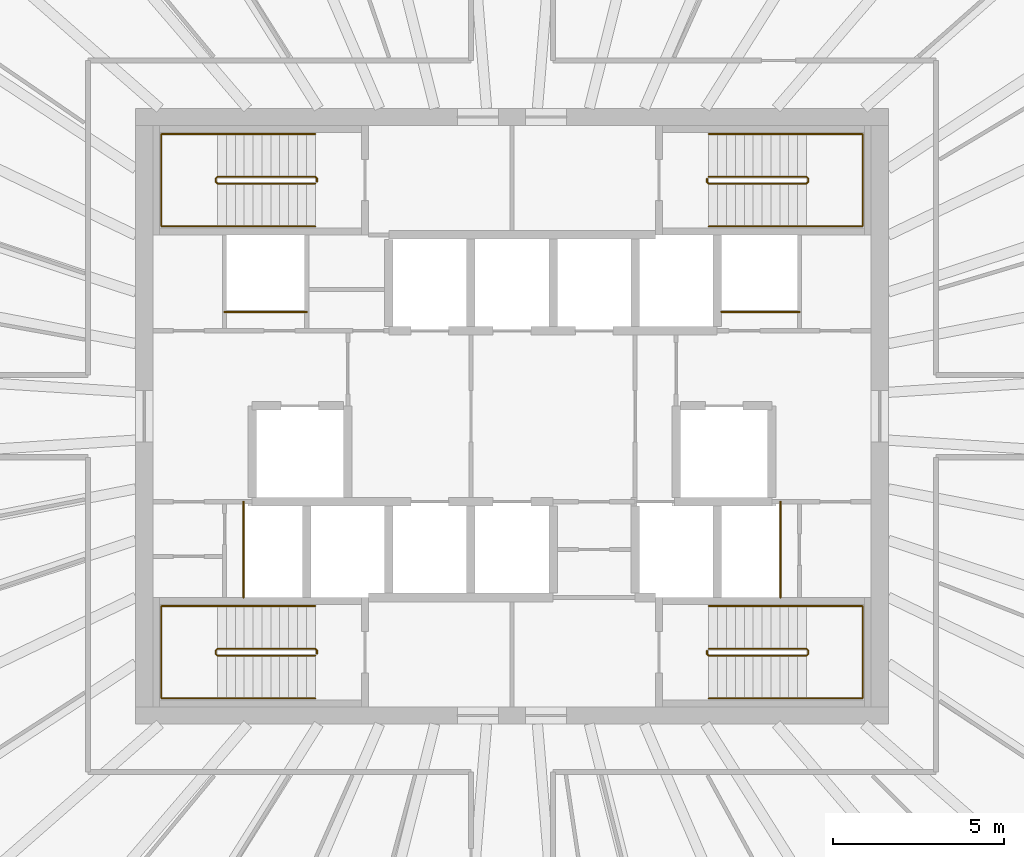
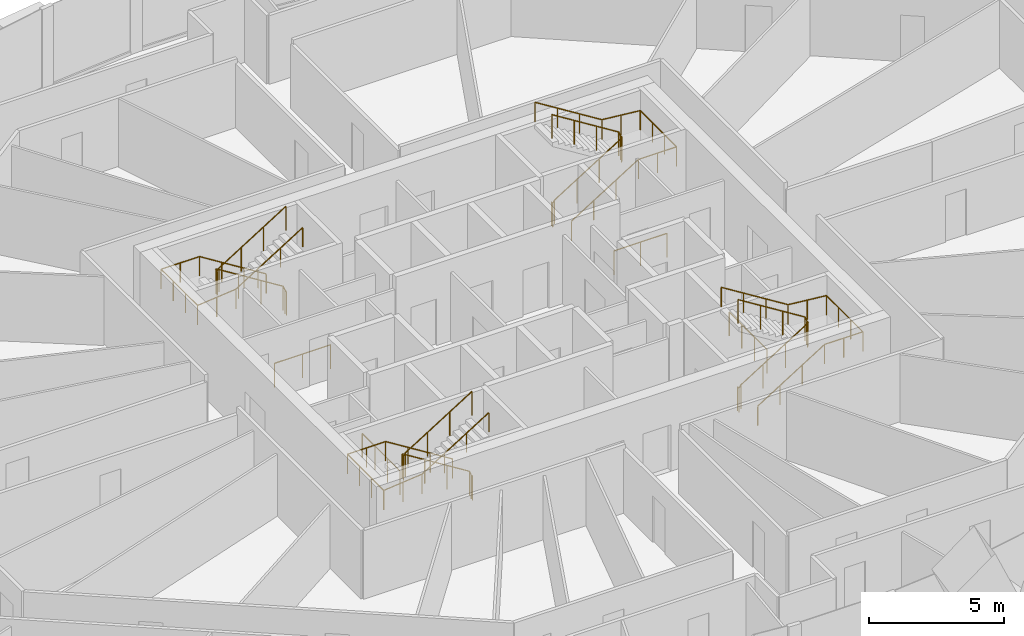
# One storey, part 14 of 14: 12 railings.
"""IFC4 building model written with IfcOpenShell, lengths in metres."""

from ifc_helpers import new_model, si_unit, direction, frame, origin, origin_2d, place, context, subcontext, project, spatial, circle, extrude, source, transform, mapped, material, type_object, element, save


model = new_model("IFC4")

# Units and contexts
model_context = context("Model", 3, precision=1e-05, world=origin(), true_north=direction((0.0, 1.0)))
body_context = subcontext(model_context, "Body", "Model", "MODEL_VIEW")
ifc_project = project(units=[si_unit("LENGTHUNIT", "METRE"), si_unit("AREAUNIT", "SQUARE_METRE"), si_unit("VOLUMEUNIT", "CUBIC_METRE"), si_unit("PLANEANGLEUNIT", "RADIAN"), si_unit("MASSUNIT", "GRAM", prefix="KILO")], contexts=[model_context])

# Site, building, storey
site_placement = place(None, origin())
site = spatial("IfcSite", under=ifc_project, at=site_placement, CompositionType="ELEMENT")
building_placement = place(site_placement, origin())
building = spatial("IfcBuilding", under=site, at=building_placement, Name="Embergate Tower", CompositionType="ELEMENT")
storey_placement = place(building_placement, frame((0.0, 0.0, 257.800048828125)))
storey = spatial("IfcBuildingStorey", under=building, at=storey_placement, Name="L59", CompositionType="ELEMENT", Elevation=257.800048828125)

# Railings
ifc_material_1 = material(Name="Stair guard 1100")
railing_type_1 = type_object("IfcRailingType", Name="Stair guard 1100", PredefinedType="GUARDRAIL", material=ifc_material_1)
shared_shape_1 = source(origin(), body_context, "Body", "SweptSolid", [
    extrude(circle(Radius=0.02392578125, at=origin_2d()), frame((0.0, 0.0, 1.076171875), z_axis=(0.0, 1.0, 0.0), x_axis=(-1.0, 0.0, 0.0)), (0.0, 0.0, 1.0), 0.099853515625),
    extrude(circle(Radius=0.02392578125, at=origin_2d()), frame((0.0, 0.099853515625, 1.076171875), z_axis=(-0.282583949758, 0.282583949758, 0.916674763849), x_axis=(-0.707106781187, -0.707106781187, 0.0)), (0.0, 0.0, 1.0), 0.177001953125),
    extrude(circle(Radius=0.02392578125, at=origin_2d()), frame((-0.050048828125, 0.14990234375, 1.23828125), z_axis=(-0.847994237388, 0.0, 0.530005446535), x_axis=(0.0, -1.0, 0.0)), (0.0, 0.0, 1.0), 3.372802734375),
    extrude(circle(Radius=0.02392578125, at=origin_2d()), frame((-2.91015625, 0.14990234375, 3.02587890625), z_axis=(-0.705375805398, -0.708833529934, 0.0), x_axis=(0.708833529934, -0.705375805398, 0.0)), (0.0, 0.0, 1.0), 0.070556640625),
    extrude(circle(Radius=0.02392578125, at=origin_2d()), frame((-2.9599609375, 0.099853515625, 3.02587890625), z_axis=(0.0, -1.0, 0.0), x_axis=(1.0, 0.0, 0.0)), (0.0, 0.0, 1.0), 0.099853515625),
    extrude(circle(Radius=0.02392578125, at=origin_2d()), frame((-2.9599609375, 0.0, 3.02587890625), z_axis=(0.280959487676, -0.282336740067, 0.917250092119), x_axis=(0.708833529934, 0.705375805398, 0.0)), (0.0, 0.0, 1.0), 0.17724609375),
    extrude(circle(Radius=0.02392578125, at=origin_2d()), frame((-2.91015625, -0.050048828125, 3.1884765625), z_axis=(0.848026770018, 0.0, 0.529953391661), x_axis=(0.0, 1.0, 0.0)), (0.0, 0.0, 1.0), 3.37255859375),
    extrude(circle(Radius=0.02099609375, at=origin_2d()), origin(), (0.0, 0.0, 1.0), 1.052001953125),
    extrude(circle(Radius=0.02099609375, at=origin_2d()), frame((0.0, 0.099853515625, 0.0)), (0.0, 0.0, 1.0), 1.052001953125),
    extrude(circle(Radius=0.02099609375, at=origin_2d()), frame((-0.050048828125, 0.14990234375, 0.162353515625)), (0.0, 0.0, 1.0), 1.052001953125),
    extrude(circle(Radius=0.02099609375, at=origin_2d()), frame((-1.00341796875, 0.14990234375, 0.75830078125)), (0.0, 0.0, 1.0), 1.052001953125),
    extrude(circle(Radius=0.02099609375, at=origin_2d()), frame((-1.956787109375, 0.14990234375, 1.35400390625)), (0.0, 0.0, 1.0), 1.052001953125),
    extrude(circle(Radius=0.02099609375, at=origin_2d()), frame((-2.91015625, 0.14990234375, 1.949951171875)), (0.0, 0.0, 1.0), 1.052001953125),
    extrude(circle(Radius=0.02099609375, at=origin_2d()), frame((-2.9599609375, 0.099853515625, 1.949951171875)), (0.0, 0.0, 1.0), 1.052001953125),
    extrude(circle(Radius=0.02099609375, at=origin_2d()), frame((-2.9599609375, 0.0, 1.949951171875)), (0.0, 0.0, 1.0), 1.052001953125),
    extrude(circle(Radius=0.02099609375, at=origin_2d()), frame((-2.91015625, -0.050048828125, 2.112548828125)), (0.0, 0.0, 1.0), 1.052001953125),
    extrude(circle(Radius=0.02099609375, at=origin_2d()), frame((-1.956787109375, -0.050048828125, 2.708251953125)), (0.0, 0.0, 1.0), 1.052001953125),
    extrude(circle(Radius=0.02099609375, at=origin_2d()), frame((-1.00341796875, -0.050048828125, 3.30419921875)), (0.0, 0.0, 1.0), 1.052001953125),
    extrude(circle(Radius=0.02099609375, at=origin_2d()), frame((-0.050048828125, -0.050048828125, 3.89990234375)), (0.0, 0.0, 1.0), 1.052001953125),
])
for number, where, name in (
    (1, (-5.699951171875, 6.85009765625, 0.0), "L59 ST1 stair guard 1"),
    (2, (-5.699951171875, -6.949951171875, 0.0), "L59 ST3 stair guard 1"),
):
    element("IfcRailing", number, at=place(storey_placement, frame(where)), inside=storey, type_object=railing_type_1, Name=name, PredefinedType="GUARDRAIL", context=body_context, shape_type="MappedRepresentation", body=[
        mapped(shared_shape_1, transform((0.0, 0.0, 0.0))),
    ])
ifc_material_2 = material(Name="Stair handrail 900")
railing_type_2 = type_object("IfcRailingType", Name="Stair handrail 900", PredefinedType="HANDRAIL", material=ifc_material_2)
shared_shape_2 = source(origin(), body_context, "Body", "SweptSolid", [
    extrude(circle(Radius=0.02392578125, at=origin_2d()), frame((0.0, 0.0, 0.8759765625), z_axis=(-0.847994237388, 0.0, 0.530005446535), x_axis=(0.0, -1.0, 0.0)), (0.0, 0.0, 1.0), 3.372802734375),
    extrude(circle(Radius=0.02392578125, at=origin_2d()), frame((-2.860107421875, 0.0, 2.66357421875), z_axis=(-1.0, 0.0, 0.0), x_axis=(0.0, -1.0, 0.0)), (0.0, 0.0, 1.0), 1.639892578125),
    extrude(circle(Radius=0.02392578125, at=origin_2d()), frame((-4.5, 0.0, 2.66357421875), z_axis=(0.0, -1.0, 0.0), x_axis=(1.0, 0.0, 0.0)), (0.0, 0.0, 1.0), 2.699951171875),
    extrude(circle(Radius=0.02392578125, at=origin_2d()), frame((-4.5, -2.699951171875, 2.66357421875), z_axis=(0.995120448088, 0.0, 0.098667592441), x_axis=(0.0, 1.0, 0.0)), (0.0, 0.0, 1.0), 1.64794921875),
    extrude(circle(Radius=0.02392578125, at=origin_2d()), frame((-2.860107421875, -2.699951171875, 2.826171875), z_axis=(0.848026770018, 0.0, 0.529953391661), x_axis=(0.0, 1.0, 0.0)), (0.0, 0.0, 1.0), 3.37255859375),
    extrude(circle(Radius=0.02099609375, at=origin_2d()), origin(), (0.0, 0.0, 1.0), 0.851806640625),
    extrude(circle(Radius=0.02099609375, at=origin_2d()), frame((-0.953369140625, 0.0, 0.595947265625)), (0.0, 0.0, 1.0), 0.851806640625),
    extrude(circle(Radius=0.02099609375, at=origin_2d()), frame((-1.90673828125, 0.0, 1.191650390625)), (0.0, 0.0, 1.0), 0.851806640625),
    extrude(circle(Radius=0.02099609375, at=origin_2d()), frame((-2.860107421875, 0.0, 1.78759765625)), (0.0, 0.0, 1.0), 0.851806640625),
    extrude(circle(Radius=0.02099609375, at=origin_2d()), frame((-3.68017578125, 0.0, 1.78759765625)), (0.0, 0.0, 1.0), 0.851806640625),
    extrude(circle(Radius=0.02099609375, at=origin_2d()), frame((-4.5, 0.0, 1.78759765625)), (0.0, 0.0, 1.0), 0.851806640625),
    extrude(circle(Radius=0.02099609375, at=origin_2d()), frame((-4.5, -0.89990234375, 1.78759765625)), (0.0, 0.0, 1.0), 0.851806640625),
    extrude(circle(Radius=0.02099609375, at=origin_2d()), frame((-4.5, -1.800048828125, 1.78759765625)), (0.0, 0.0, 1.0), 0.851806640625),
    extrude(circle(Radius=0.02099609375, at=origin_2d()), frame((-4.5, -2.699951171875, 1.78759765625)), (0.0, 0.0, 1.0), 0.851806640625),
    extrude(circle(Radius=0.02099609375, at=origin_2d()), frame((-3.68017578125, -2.699951171875, 1.868896484375)), (0.0, 0.0, 1.0), 0.851806640625),
    extrude(circle(Radius=0.02099609375, at=origin_2d()), frame((-2.860107421875, -2.699951171875, 1.9501953125)), (0.0, 0.0, 1.0), 0.851806640625),
    extrude(circle(Radius=0.02099609375, at=origin_2d()), frame((-1.90673828125, -2.699951171875, 2.5458984375)), (0.0, 0.0, 1.0), 0.851806640625),
    extrude(circle(Radius=0.02099609375, at=origin_2d()), frame((-0.953369140625, -2.699951171875, 3.141845703125)), (0.0, 0.0, 1.0), 0.851806640625),
    extrude(circle(Radius=0.02099609375, at=origin_2d()), frame((0.0, -2.699951171875, 3.737548828125)), (0.0, 0.0, 1.0), 0.851806640625),
])
for number, where, name in (
    (3, (-5.75, 8.25, 0.162353515625), "L59 ST1 stair handrail 1"),
    (4, (-5.75, -5.550048828125, 0.162353515625), "L59 ST3 stair handrail 1"),
):
    element("IfcRailing", number, at=place(storey_placement, frame(where)), inside=storey, type_object=railing_type_2, Name=name, PredefinedType="HANDRAIL", context=body_context, shape_type="MappedRepresentation", body=[
        mapped(shared_shape_2, transform((0.0, 0.0, 0.0))),
    ])
shared_shape_3 = source(origin(), body_context, "Body", "SweptSolid", [
    extrude(circle(Radius=0.02392578125, at=origin_2d()), frame((0.0, 0.0, 1.076171875), z_axis=(0.0, -1.0, 0.0), x_axis=(1.0, 0.0, 0.0)), (0.0, 0.0, 1.0), 0.099853515625),
    extrude(circle(Radius=0.02392578125, at=origin_2d()), frame((0.0, -0.099853515625, 1.076171875), z_axis=(0.282583949758, -0.282583949758, 0.916674763849), x_axis=(0.707106781187, 0.707106781187, 0.0)), (0.0, 0.0, 1.0), 0.177001953125),
    extrude(circle(Radius=0.02392578125, at=origin_2d()), frame((0.050048828125, -0.14990234375, 1.23828125), z_axis=(0.847994237388, 0.0, 0.530005446535), x_axis=(0.0, 1.0, 0.0)), (0.0, 0.0, 1.0), 3.372802734375),
    extrude(circle(Radius=0.02392578125, at=origin_2d()), frame((2.91015625, -0.14990234375, 3.02587890625), z_axis=(0.705375805398, 0.708833529934, 0.0), x_axis=(-0.708833529934, 0.705375805398, 0.0)), (0.0, 0.0, 1.0), 0.070556640625),
    extrude(circle(Radius=0.02392578125, at=origin_2d()), frame((2.9599609375, -0.099853515625, 3.02587890625), z_axis=(0.0, 1.0, 0.0), x_axis=(-1.0, 0.0, 0.0)), (0.0, 0.0, 1.0), 0.099853515625),
    extrude(circle(Radius=0.02392578125, at=origin_2d()), frame((2.9599609375, 0.0, 3.02587890625), z_axis=(-0.280959487676, 0.282336740067, 0.917250092119), x_axis=(-0.708833529934, -0.705375805398, 0.0)), (0.0, 0.0, 1.0), 0.17724609375),
    extrude(circle(Radius=0.02392578125, at=origin_2d()), frame((2.91015625, 0.050048828125, 3.1884765625), z_axis=(-0.848026770018, 0.0, 0.529953391661), x_axis=(0.0, -1.0, 0.0)), (0.0, 0.0, 1.0), 3.37255859375),
    extrude(circle(Radius=0.02099609375, at=origin_2d()), origin(), (0.0, 0.0, 1.0), 1.052001953125),
    extrude(circle(Radius=0.02099609375, at=origin_2d()), frame((0.0, -0.099853515625, 0.0)), (0.0, 0.0, 1.0), 1.052001953125),
    extrude(circle(Radius=0.02099609375, at=origin_2d()), frame((0.050048828125, -0.14990234375, 0.162353515625)), (0.0, 0.0, 1.0), 1.052001953125),
    extrude(circle(Radius=0.02099609375, at=origin_2d()), frame((1.00341796875, -0.14990234375, 0.75830078125)), (0.0, 0.0, 1.0), 1.052001953125),
    extrude(circle(Radius=0.02099609375, at=origin_2d()), frame((1.956787109375, -0.14990234375, 1.35400390625)), (0.0, 0.0, 1.0), 1.052001953125),
    extrude(circle(Radius=0.02099609375, at=origin_2d()), frame((2.91015625, -0.14990234375, 1.949951171875)), (0.0, 0.0, 1.0), 1.052001953125),
    extrude(circle(Radius=0.02099609375, at=origin_2d()), frame((2.9599609375, -0.099853515625, 1.949951171875)), (0.0, 0.0, 1.0), 1.052001953125),
    extrude(circle(Radius=0.02099609375, at=origin_2d()), frame((2.9599609375, 0.0, 1.949951171875)), (0.0, 0.0, 1.0), 1.052001953125),
    extrude(circle(Radius=0.02099609375, at=origin_2d()), frame((2.91015625, 0.050048828125, 2.112548828125)), (0.0, 0.0, 1.0), 1.052001953125),
    extrude(circle(Radius=0.02099609375, at=origin_2d()), frame((1.956787109375, 0.050048828125, 2.708251953125)), (0.0, 0.0, 1.0), 1.052001953125),
    extrude(circle(Radius=0.02099609375, at=origin_2d()), frame((1.00341796875, 0.050048828125, 3.30419921875)), (0.0, 0.0, 1.0), 1.052001953125),
    extrude(circle(Radius=0.02099609375, at=origin_2d()), frame((0.050048828125, 0.050048828125, 3.89990234375)), (0.0, 0.0, 1.0), 1.052001953125),
])
for number, where, name in (
    (5, (5.699951171875, 6.949951171875, 0.0), "L59 ST2 stair guard 1"),
    (6, (5.699951171875, -6.85009765625, 0.0), "L59 ST4 stair guard 1"),
):
    element("IfcRailing", number, at=place(storey_placement, frame(where)), inside=storey, type_object=railing_type_1, Name=name, PredefinedType="GUARDRAIL", context=body_context, shape_type="MappedRepresentation", body=[
        mapped(shared_shape_3, transform((0.0, 0.0, 0.0))),
    ])
shared_shape_4 = source(origin(), body_context, "Body", "SweptSolid", [
    extrude(circle(Radius=0.02392578125, at=origin_2d()), frame((0.0, 0.0, 0.8759765625), z_axis=(0.847994237388, 0.0, 0.530005446535), x_axis=(0.0, 1.0, 0.0)), (0.0, 0.0, 1.0), 3.372802734375),
    extrude(circle(Radius=0.02392578125, at=origin_2d()), frame((2.860107421875, 0.0, 2.66357421875), z_axis=(1.0, 0.0, 0.0), x_axis=(0.0, 1.0, 0.0)), (0.0, 0.0, 1.0), 1.639892578125),
    extrude(circle(Radius=0.02392578125, at=origin_2d()), frame((4.5, 0.0, 2.66357421875), z_axis=(0.0, 1.0, 0.0), x_axis=(-1.0, 0.0, 0.0)), (0.0, 0.0, 1.0), 2.699951171875),
    extrude(circle(Radius=0.02392578125, at=origin_2d()), frame((4.5, 2.699951171875, 2.66357421875), z_axis=(-0.995120448088, 0.0, 0.098667592441), x_axis=(0.0, -1.0, 0.0)), (0.0, 0.0, 1.0), 1.64794921875),
    extrude(circle(Radius=0.02392578125, at=origin_2d()), frame((2.860107421875, 2.699951171875, 2.826171875), z_axis=(-0.848026770018, 0.0, 0.529953391661), x_axis=(0.0, -1.0, 0.0)), (0.0, 0.0, 1.0), 3.37255859375),
    extrude(circle(Radius=0.02099609375, at=origin_2d()), origin(), (0.0, 0.0, 1.0), 0.851806640625),
    extrude(circle(Radius=0.02099609375, at=origin_2d()), frame((0.953369140625, 0.0, 0.595947265625)), (0.0, 0.0, 1.0), 0.851806640625),
    extrude(circle(Radius=0.02099609375, at=origin_2d()), frame((1.90673828125, 0.0, 1.191650390625)), (0.0, 0.0, 1.0), 0.851806640625),
    extrude(circle(Radius=0.02099609375, at=origin_2d()), frame((2.860107421875, 0.0, 1.78759765625)), (0.0, 0.0, 1.0), 0.851806640625),
    extrude(circle(Radius=0.02099609375, at=origin_2d()), frame((3.68017578125, 0.0, 1.78759765625)), (0.0, 0.0, 1.0), 0.851806640625),
    extrude(circle(Radius=0.02099609375, at=origin_2d()), frame((4.5, 0.0, 1.78759765625)), (0.0, 0.0, 1.0), 0.851806640625),
    extrude(circle(Radius=0.02099609375, at=origin_2d()), frame((4.5, 0.89990234375, 1.78759765625)), (0.0, 0.0, 1.0), 0.851806640625),
    extrude(circle(Radius=0.02099609375, at=origin_2d()), frame((4.5, 1.800048828125, 1.78759765625)), (0.0, 0.0, 1.0), 0.851806640625),
    extrude(circle(Radius=0.02099609375, at=origin_2d()), frame((4.5, 2.699951171875, 1.78759765625)), (0.0, 0.0, 1.0), 0.851806640625),
    extrude(circle(Radius=0.02099609375, at=origin_2d()), frame((3.68017578125, 2.699951171875, 1.868896484375)), (0.0, 0.0, 1.0), 0.851806640625),
    extrude(circle(Radius=0.02099609375, at=origin_2d()), frame((2.860107421875, 2.699951171875, 1.9501953125)), (0.0, 0.0, 1.0), 0.851806640625),
    extrude(circle(Radius=0.02099609375, at=origin_2d()), frame((1.90673828125, 2.699951171875, 2.5458984375)), (0.0, 0.0, 1.0), 0.851806640625),
    extrude(circle(Radius=0.02099609375, at=origin_2d()), frame((0.953369140625, 2.699951171875, 3.141845703125)), (0.0, 0.0, 1.0), 0.851806640625),
    extrude(circle(Radius=0.02099609375, at=origin_2d()), frame((0.0, 2.699951171875, 3.737548828125)), (0.0, 0.0, 1.0), 0.851806640625),
])
for number, where, name in (
    (7, (5.75, 5.550048828125, 0.162353515625), "L59 ST2 stair handrail 1"),
    (8, (5.75, -8.25, 0.162353515625), "L59 ST4 stair handrail 1"),
):
    element("IfcRailing", number, at=place(storey_placement, frame(where)), inside=storey, type_object=railing_type_2, Name=name, PredefinedType="HANDRAIL", context=body_context, shape_type="MappedRepresentation", body=[
        mapped(shared_shape_4, transform((0.0, 0.0, 0.0))),
    ])
ifc_material_3 = material(Name="Opening guard 1100")
railing_type_3 = type_object("IfcRailingType", Name="Opening guard 1100", PredefinedType="GUARDRAIL", material=ifc_material_3)
shared_shape_5 = source(origin(), body_context, "Body", "SweptSolid", [
    extrude(circle(Radius=0.02392578125, at=origin_2d()), frame((0.0, 0.0, 1.076171875), z_axis=(1.0, 0.0, 0.0), x_axis=(0.0, 1.0, 0.0)), (0.0, 0.0, 1.0), 2.27490234375),
    extrude(circle(Radius=0.02099609375, at=origin_2d()), origin(), (0.0, 0.0, 1.0), 1.052001953125),
    extrude(circle(Radius=0.02099609375, at=origin_2d()), frame((1.137451171875, 0.0, 0.0)), (0.0, 0.0, 1.0), 1.052001953125),
    extrude(circle(Radius=0.02099609375, at=origin_2d()), frame((2.27490234375, 0.0, 0.0)), (0.0, 0.0, 1.0), 1.052001953125),
])
railing_1_placement = place(storey_placement, frame((6.125, 3.050048828125, 0.0)))
element("IfcRailing", 9, at=railing_1_placement, inside=storey, type_object=railing_type_3, Name="Riser opening guard", PredefinedType="GUARDRAIL", context=body_context, shape_type="MappedRepresentation", body=[
    mapped(shared_shape_5, transform((0.0, 0.0, 0.0))),
])
shared_shape_6 = source(origin(), body_context, "Body", "SweptSolid", [
    extrude(circle(Radius=0.02392578125, at=origin_2d()), frame((0.0, 0.0, 1.076171875), z_axis=(0.0, 1.0, 0.0), x_axis=(-1.0, 0.0, 0.0)), (0.0, 0.0, 1.0), 2.800048828125),
    extrude(circle(Radius=0.02099609375, at=origin_2d()), origin(), (0.0, 0.0, 1.0), 1.052001953125),
    extrude(circle(Radius=0.02099609375, at=origin_2d()), frame((0.0, 0.933349609375, 0.0)), (0.0, 0.0, 1.0), 1.052001953125),
    extrude(circle(Radius=0.02099609375, at=origin_2d()), frame((0.0, 1.86669921875, 0.0)), (0.0, 0.0, 1.0), 1.052001953125),
    extrude(circle(Radius=0.02099609375, at=origin_2d()), frame((0.0, 2.800048828125, 0.0)), (0.0, 0.0, 1.0), 1.052001953125),
])
for number, where, name in (
    (10, (-7.85009765625, -5.300048828125, 0.0), "Riser opening guard"),
    (11, (7.85009765625, -5.300048828125, 0.0), "Riser opening guard"),
):
    element("IfcRailing", number, at=place(storey_placement, frame(where)), inside=storey, type_object=railing_type_3, Name=name, PredefinedType="GUARDRAIL", context=body_context, shape_type="MappedRepresentation", body=[
        mapped(shared_shape_6, transform((0.0, 0.0, 0.0))),
    ])
shared_shape_7 = source(origin(), body_context, "Body", "SweptSolid", [
    extrude(circle(Radius=0.02392578125, at=origin_2d()), frame((0.0, 0.0, 1.076171875), z_axis=(1.0, 0.0, 0.0), x_axis=(0.0, 1.0, 0.0)), (0.0, 0.0, 1.0), 2.39990234375),
    extrude(circle(Radius=0.02099609375, at=origin_2d()), origin(), (0.0, 0.0, 1.0), 1.052001953125),
    extrude(circle(Radius=0.02099609375, at=origin_2d()), frame((1.199951171875, 0.0, 0.0)), (0.0, 0.0, 1.0), 1.052001953125),
    extrude(circle(Radius=0.02099609375, at=origin_2d()), frame((2.39990234375, 0.0, 0.0)), (0.0, 0.0, 1.0), 1.052001953125),
])
railing_2_placement = place(storey_placement, frame((-8.39990234375, 3.050048828125, 0.0)))
element("IfcRailing", 12, at=railing_2_placement, inside=storey, type_object=railing_type_3, Name="Riser opening guard", PredefinedType="GUARDRAIL", context=body_context, shape_type="MappedRepresentation", body=[
    mapped(shared_shape_7, transform((0.0, 0.0, 0.0))),
])

save(model, "model.ifc")
